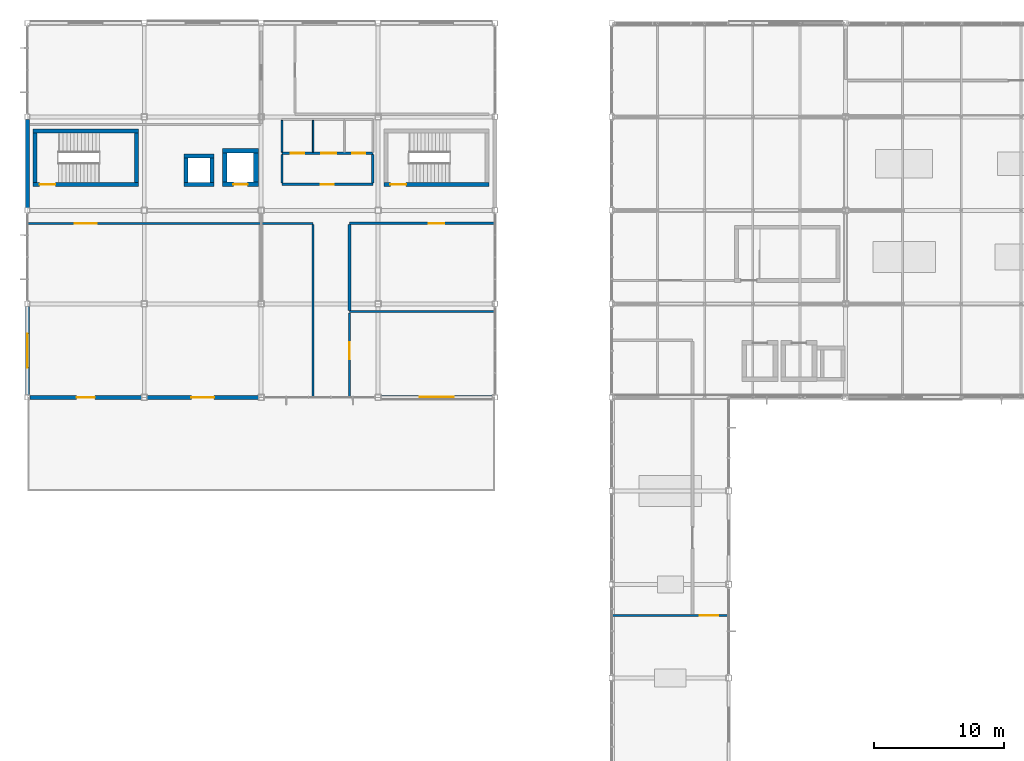
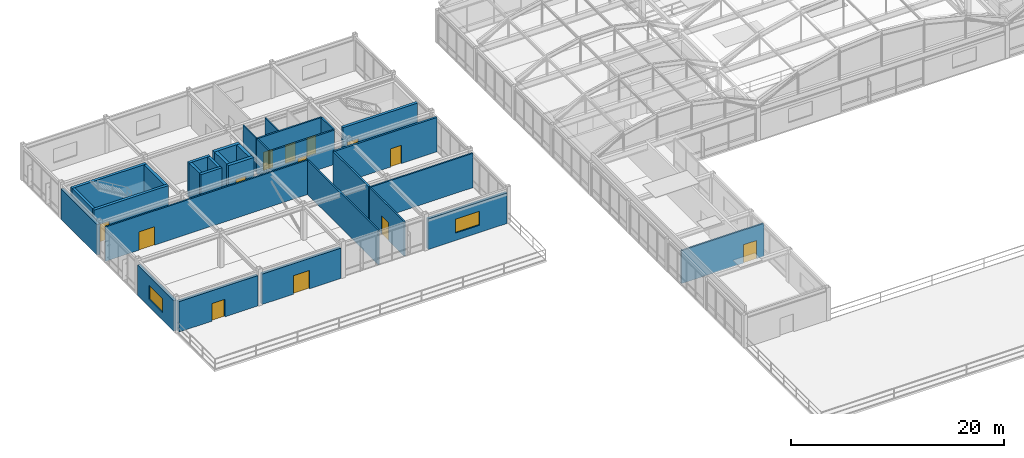
# One storey, part 84 of 106: 31 walls, 13 doors, 2 windows, 15 openings.
"""IFC4 building model written with IfcOpenShell, lengths in metres."""

from ifc_helpers import new_model, si_unit, direction, frame, frame_2d, origin, place, context, subcontext, project, spatial, rectangle, extrude, material, layer, layer_set, type_object, element, fill, save


model = new_model("IFC4")

# Units and contexts
model_context = context("Model", 3, precision=1e-05, world=origin(), true_north=direction((0.0, 1.0)))
body_context = subcontext(model_context, "Body", "Model", "MODEL_VIEW")
ifc_project = project(units=[si_unit("LENGTHUNIT", "METRE"), si_unit("AREAUNIT", "SQUARE_METRE"), si_unit("VOLUMEUNIT", "CUBIC_METRE"), si_unit("PLANEANGLEUNIT", "RADIAN"), si_unit("MASSUNIT", "GRAM", prefix="KILO")], contexts=[model_context])

# Site, building, storey
site_placement = place(None, origin())
site = spatial("IfcSite", under=ifc_project, at=site_placement, CompositionType="ELEMENT")
building_placement = place(site_placement, origin())
building = spatial("IfcBuilding", under=site, at=building_placement, Name="Kazanami Central Library", CompositionType="ELEMENT")
storey_placement = place(building_placement, frame((0.0, 0.0, 12.800048828125)))
storey = spatial("IfcBuildingStorey", under=building, at=storey_placement, Name="L04", CompositionType="ELEMENT", Elevation=12.800048828125)

# Wall, opening, window
ifc_material_1 = material(Name="Concrete Fc36 (36 MPa)", Category="concrete")
ifc_layer_1 = layer(ifc_material_1, 0.219970703125, Name="Concrete Fc36 (36 MPa)")
ifc_material_2 = material(Name="Extruded Polystyrene XPS", Category="earth")
ifc_layer_2 = layer(ifc_material_2, 0.050048828125, Name="Extruded Polystyrene XPS")
ifc_material_3 = material(Name="Honed Inada Granite", Category="masonry")
ifc_layer_3 = layer(ifc_material_3, 0.030029296875, Name="Honed Inada Granite")
ifc_layer_set_1 = layer_set([ifc_layer_1, ifc_layer_2, ifc_layer_3], Name="Concrete Fc36 (36 MPa)")
wall_type_1 = type_object("IfcWallType", Name="WAL-EW-300", PredefinedType="STANDARD", material=ifc_layer_set_1)
wall_1_placement = place(storey_placement, frame((0.0, 65.0, 0.0), z_axis=(0.0, 0.0, 1.0), x_axis=(0.0, 1.0, 0.0)))
wall_1 = element("IfcWall", 1, at=wall_1_placement, inside=storey, type_object=wall_type_1, Name="Exterior Facade Wall EW-300 L04 W-1-09", PredefinedType="STANDARD", context=body_context, shape_type="SweptSolid", body=[
    extrude(rectangle(XDim=6.800048828125, YDim=0.300048828125, at=frame_2d((3.39990234375, 0.0))), origin(), (0.0, 0.0, 1.0), 3.489990234375),
])
opening_1_placement = place(wall_1_placement, frame((2.10009765625, 0.0, 0.85009765625)))
opening_1 = element("IfcOpeningElement", 2, at=opening_1_placement, cuts=wall_1, Name="Opening WN-13", PredefinedType="OPENING", context=body_context, shape_type="SweptSolid", body=[
    extrude(rectangle(XDim=2.60009765625, YDim=1.60009765625, at=frame_2d((1.300048828125, 0.800048828125))), frame((0.0, 0.162109375, 0.0), z_axis=(0.0, -1.0, 0.0), x_axis=(1.0, 0.0, 0.0)), (0.0, 0.0, 1.0), 0.323974609375),
])
ifc_material_4 = material(Name="Low-E Insulated Triple Glass", Category="glass")
window_type = type_object("IfcWindowType", Name="WIN-WN-13", PartitioningType="DOUBLE_PANEL_VERTICAL", PredefinedType="WINDOW", material=ifc_material_4)
window_1_placement = place(opening_1_placement, origin())
window_1 = element("IfcWindow", 3, at=window_1_placement, inside=storey, type_object=window_type, Name="Facade Window WN-13 L04 W-1-09", OverallHeight=1.60009765625, OverallWidth=2.60009765625, PartitioningType="DOUBLE_PANEL_VERTICAL", PredefinedType="WINDOW", context=body_context, shape_type="SweptSolid", body=[
    extrude(rectangle(XDim=2.60009765625, YDim=1.60009765625, at=frame_2d((1.300048828125, 0.800048828125))), frame((0.0, 0.030029296875, 0.0), z_axis=(0.0, -1.0, 0.0), x_axis=(1.0, 0.0, 0.0)), (0.0, 0.0, 1.0), 0.06005859375),
])
fill(opening_1, window_1)

# Wall
wall_2_placement = place(storey_placement, frame((0.0, 79.39990234375, 0.0), z_axis=(0.0, 0.0, 1.0), x_axis=(0.0, 1.0, 0.0)))
element("IfcWall", 4, at=wall_2_placement, inside=storey, type_object=wall_type_1, Name="Exterior Facade Wall EW-300 L04 W-1-11", PredefinedType="STANDARD", context=body_context, shape_type="SweptSolid", body=[
    extrude(rectangle(XDim=6.800048828125, YDim=0.300048828125, at=frame_2d((3.39990234375, 0.0))), origin(), (0.0, 0.0, 1.0), 3.489990234375),
])

# Wall, opening, door
ifc_layer_4 = layer(ifc_material_1, 0.239990234375, Name="Concrete Fc36 (36 MPa)")
ifc_layer_5 = layer(ifc_material_2, 0.050048828125, Name="Extruded Polystyrene XPS")
ifc_layer_6 = layer(ifc_material_3, 0.030029296875, Name="Honed Inada Granite")
ifc_layer_set_2 = layer_set([ifc_layer_4, ifc_layer_5, ifc_layer_6], Name="Concrete Fc36 (36 MPa)")
wall_type_2 = type_object("IfcWallType", Name="WAL-EW-320", PredefinedType="STANDARD", material=ifc_layer_set_2)
wall_3_placement = place(storey_placement, frame((0.199951171875, 64.800048828125, 0.0), z_axis=(0.0, 0.0, 1.0), x_axis=(1.0, 0.0, 0.0)))
wall_3 = element("IfcWall", 5, at=wall_3_placement, inside=storey, type_object=wall_type_2, Name="Exterior Facade Wall EW-320 L04 S-K-00", PredefinedType="STANDARD", context=body_context, shape_type="SweptSolid", body=[
    extrude(rectangle(XDim=8.574951171875, YDim=0.320068359375, at=frame_2d((4.28759765625, 0.0))), origin(), (0.0, 0.0, 1.0), 3.489990234375),
])
opening_2_placement = place(wall_3_placement, frame((3.58740234375, 0.0, 0.0)))
opening_2 = element("IfcOpeningElement", 6, at=opening_2_placement, cuts=wall_3, Name="Opening ED-T5", PredefinedType="OPENING", context=body_context, shape_type="SweptSolid", body=[
    extrude(rectangle(XDim=1.39990234375, YDim=2.02001953125, at=frame_2d((0.699951171875, 1.010009765625))), frame((0.0, 0.171875, 0.0), z_axis=(0.0, -1.0, 0.0), x_axis=(1.0, 0.0, 0.0)), (0.0, 0.0, 1.0), 0.343994140625),
])
ifc_material_5 = material(Name="Anodised Aluminium A6063-T5", Category="aluminium")
door_type_1 = type_object("IfcDoorType", Name="DOR-ED-T5", OperationType="DOUBLE_DOOR_SINGLE_SWING", PredefinedType="DOOR", material=ifc_material_5)
door_1_placement = place(opening_2_placement, frame((1.39990234375, 0.0, 0.0), z_axis=(0.0, 0.0, 1.0), x_axis=(-1.0, 0.0, 0.0)))
door_1 = element("IfcDoor", 7, at=door_1_placement, inside=storey, type_object=door_type_1, Name="Reading Terrace Access Door L04 S-K-00", OperationType="DOUBLE_DOOR_SINGLE_SWING", OverallHeight=2.02001953125, OverallWidth=1.39990234375, PredefinedType="DOOR", context=body_context, shape_type="SweptSolid", body=[
    extrude(rectangle(XDim=1.39990234375, YDim=2.02001953125, at=frame_2d((0.699951171875, 1.010009765625))), frame((0.0, 0.02490234375, 0.0), z_axis=(0.0, -1.0, 0.0), x_axis=(1.0, 0.0, 0.0)), (0.0, 0.0, 1.0), 0.050048828125),
])
fill(opening_2, door_1)

wall_4_placement = place(storey_placement, frame((9.22509765625, 64.800048828125, 0.0), z_axis=(0.0, 0.0, 1.0), x_axis=(1.0, 0.0, 0.0)))
wall_4 = element("IfcWall", 8, at=wall_4_placement, inside=storey, type_object=wall_type_2, Name="Exterior Facade Wall EW-320 L04 S-K-01", PredefinedType="STANDARD", context=body_context, shape_type="SweptSolid", body=[
    extrude(rectangle(XDim=8.5498046875, YDim=0.320068359375, at=frame_2d((4.27490234375, 0.0))), origin(), (0.0, 0.0, 1.0), 3.489990234375),
])
opening_3_placement = place(wall_4_placement, frame((3.39990234375, 0.0, 0.0)))
opening_3 = element("IfcOpeningElement", 9, at=opening_3_placement, cuts=wall_4, Name="Opening ED-T6", PredefinedType="OPENING", context=body_context, shape_type="SweptSolid", body=[
    extrude(rectangle(XDim=1.75, YDim=2.1201171875, at=frame_2d((0.875, 1.06005859375))), frame((0.0, 0.171875, 0.0), z_axis=(0.0, -1.0, 0.0), x_axis=(1.0, 0.0, 0.0)), (0.0, 0.0, 1.0), 0.343994140625),
])
door_type_2 = type_object("IfcDoorType", Name="DOR-ED-T6", OperationType="DOUBLE_DOOR_SINGLE_SWING", PredefinedType="DOOR", material=ifc_material_5)
door_2_placement = place(opening_3_placement, frame((1.75, 0.0, 0.0), z_axis=(0.0, 0.0, 1.0), x_axis=(-1.0, 0.0, 0.0)))
door_2 = element("IfcDoor", 10, at=door_2_placement, inside=storey, type_object=door_type_2, Name="Reading Terrace Access Door L04 S-K-01", OperationType="DOUBLE_DOOR_SINGLE_SWING", OverallHeight=2.1201171875, OverallWidth=1.75, PredefinedType="DOOR", context=body_context, shape_type="SweptSolid", body=[
    extrude(rectangle(XDim=1.75, YDim=2.1201171875, at=frame_2d((0.875, 1.06005859375))), frame((0.0, 0.02490234375, 0.0), z_axis=(0.0, -1.0, 0.0), x_axis=(1.0, 0.0, 0.0)), (0.0, 0.0, 1.0), 0.050048828125),
])
fill(opening_3, door_2)

# Wall, opening, window
wall_5_placement = place(storey_placement, frame((27.22509765625, 64.800048828125, 0.0), z_axis=(0.0, 0.0, 1.0), x_axis=(1.0, 0.0, 0.0)))
wall_5 = element("IfcWall", 11, at=wall_5_placement, inside=storey, type_object=wall_type_2, Name="Exterior Facade Wall EW-320 L04 S-K-03", PredefinedType="STANDARD", context=body_context, shape_type="SweptSolid", body=[
    extrude(rectangle(XDim=8.574951171875, YDim=0.320068359375, at=frame_2d((4.28759765625, 0.0))), origin(), (0.0, 0.0, 1.0), 3.489990234375),
])
opening_4_placement = place(wall_5_placement, frame((2.987548828125, 0.0, 0.85009765625)))
opening_4 = element("IfcOpeningElement", 12, at=opening_4_placement, cuts=wall_5, Name="Opening WN-13", PredefinedType="OPENING", context=body_context, shape_type="SweptSolid", body=[
    extrude(rectangle(XDim=2.60009765625, YDim=1.60009765625, at=frame_2d((1.300048828125, 0.800048828125))), frame((0.0, 0.171875, 0.0), z_axis=(0.0, -1.0, 0.0), x_axis=(1.0, 0.0, 0.0)), (0.0, 0.0, 1.0), 0.343994140625),
])
window_2_placement = place(opening_4_placement, origin())
window_2 = element("IfcWindow", 13, at=window_2_placement, inside=storey, type_object=window_type, Name="Facade Window WN-13 L04 S-K-03", OverallHeight=1.60009765625, OverallWidth=2.60009765625, PartitioningType="DOUBLE_PANEL_VERTICAL", PredefinedType="WINDOW", context=body_context, shape_type="SweptSolid", body=[
    extrude(rectangle(XDim=2.60009765625, YDim=1.60009765625, at=frame_2d((1.300048828125, 0.800048828125))), frame((0.0, 0.030029296875, 0.0), z_axis=(0.0, -1.0, 0.0), x_axis=(1.0, 0.0, 0.0)), (0.0, 0.0, 1.0), 0.06005859375),
])
fill(opening_4, window_2)

# Wall, opening, door
ifc_material_6 = material(Name="Fire-Resistant Gypsum Board GB-F", Category="gypsum")
ifc_layer_7 = layer(ifc_material_6, 0.1650390625, Name="Fire-Resistant Gypsum Board GB-F")
ifc_layer_set_3 = layer_set([ifc_layer_7], Name="Fire-Resistant Gypsum Board GB-F")
wall_type_3 = type_object("IfcWallType", Name="WAL-FW-165", PredefinedType="PARTITIONING", material=ifc_layer_set_3)
wall_6_placement = place(storey_placement, frame((0.034912109375, 78.199951171875, 0.0), z_axis=(0.0, 0.0, 1.0), x_axis=(1.0, 0.0, 0.0)))
wall_6 = element("IfcWall", 14, at=wall_6_placement, inside=storey, type_object=wall_type_3, Name="Interior Partition FW-165 L04 RM-04 (North)", PredefinedType="PARTITIONING", context=body_context, shape_type="SweptSolid", body=[
    extrude(rectangle(XDim=21.965087890625, YDim=0.1650390625, at=frame_2d((10.982421875, 0.0))), origin(), (0.0, 0.0, 1.0), 3.93994140625),
])
opening_5_placement = place(wall_6_placement, frame((3.614990234375, 0.0, 0.0)))
opening_5 = element("IfcOpeningElement", 15, at=opening_5_placement, cuts=wall_6, Name="Opening FD30-4", PredefinedType="OPENING", context=body_context, shape_type="SweptSolid", body=[
    extrude(rectangle(XDim=1.699951171875, YDim=2.1201171875, at=frame_2d((0.85009765625, 1.06005859375))), frame((0.0, 0.094482421875, 0.0), z_axis=(0.0, -1.0, 0.0), x_axis=(1.0, 0.0, 0.0)), (0.0, 0.0, 1.0), 0.18896484375),
])
ifc_material_7 = material(Name="Cold-Rolled Steel SPCC", Category="steel")
door_type_3 = type_object("IfcDoorType", Name="DOR-FD30-4", OperationType="DOUBLE_DOOR_SINGLE_SWING", PredefinedType="DOOR", material=ifc_material_7)
door_3_placement = place(opening_5_placement, origin())
door_3 = element("IfcDoor", 16, at=door_3_placement, inside=storey, type_object=door_type_3, Name="Interior Door FD30-4 L04 RM-04", OperationType="DOUBLE_DOOR_SINGLE_SWING", OverallHeight=2.1201171875, OverallWidth=1.699951171875, PredefinedType="DOOR", context=body_context, shape_type="SweptSolid", body=[
    extrude(rectangle(XDim=1.699951171875, YDim=2.1201171875, at=frame_2d((0.85009765625, 1.06005859375))), frame((0.0, 0.02490234375, 0.0), z_axis=(0.0, -1.0, 0.0), x_axis=(1.0, 0.0, 0.0)), (0.0, 0.0, 1.0), 0.050048828125),
])
fill(opening_5, door_3)

# Walls
wall_7_placement = place(storey_placement, frame((22.0, 64.8349609375, 0.0), z_axis=(0.0, 0.0, 1.0), x_axis=(0.0, 1.0, 0.0)))
element("IfcWall", 17, at=wall_7_placement, inside=storey, type_object=wall_type_3, Name="Interior Partition FW-165 L04 RM-04 (East)", PredefinedType="PARTITIONING", context=body_context, shape_type="SweptSolid", body=[
    extrude(rectangle(XDim=13.275146484375, YDim=0.1650390625, at=frame_2d((6.6376953125, 0.0))), origin(), (0.0, 0.0, 1.0), 3.93994140625),
])
wall_8_placement = place(storey_placement, frame((24.800048828125, 71.39990234375, 0.0), z_axis=(0.0, 0.0, 1.0), x_axis=(1.0, 0.0, 0.0)))
element("IfcWall", 18, at=wall_8_placement, inside=storey, type_object=wall_type_3, Name="Interior Partition FW-165 L04 RM-05 (North)", PredefinedType="PARTITIONING", context=body_context, shape_type="SweptSolid", body=[
    extrude(rectangle(XDim=11.1650390625, YDim=0.1650390625, at=frame_2d((5.58251953125, 0.0))), origin(), (0.0, 0.0, 1.0), 3.93994140625),
])

# Wall, opening, door
wall_9_placement = place(storey_placement, frame((24.800048828125, 64.8349609375, 0.0), z_axis=(0.0, 0.0, 1.0), x_axis=(0.0, 1.0, 0.0)))
wall_9 = element("IfcWall", 19, at=wall_9_placement, inside=storey, type_object=wall_type_3, Name="Interior Partition FW-165 L04 RM-05 (West)", PredefinedType="PARTITIONING", context=body_context, shape_type="SweptSolid", body=[
    extrude(rectangle(XDim=6.47509765625, YDim=0.1650390625, at=frame_2d((3.237548828125, 0.0))), origin(), (0.0, 0.0, 1.0), 3.93994140625),
])
opening_6_placement = place(wall_9_placement, frame((2.9150390625, 0.0, 0.0)))
opening_6 = element("IfcOpeningElement", 20, at=opening_6_placement, cuts=wall_9, Name="Opening FD30-7", PredefinedType="OPENING", context=body_context, shape_type="SweptSolid", body=[
    extrude(rectangle(XDim=1.300048828125, YDim=2.080078125, at=frame_2d((0.64990234375, 1.0400390625))), frame((0.0, 0.094482421875, 0.0), z_axis=(0.0, -1.0, 0.0), x_axis=(1.0, 0.0, 0.0)), (0.0, 0.0, 1.0), 0.18896484375),
])
door_type_4 = type_object("IfcDoorType", Name="DOR-FD30-7", OperationType="DOUBLE_DOOR_SINGLE_SWING", PredefinedType="DOOR", material=ifc_material_7)
door_4_placement = place(opening_6_placement, origin())
door_4 = element("IfcDoor", 21, at=door_4_placement, inside=storey, type_object=door_type_4, Name="Interior Door FD30-7 L04 RM-05", OperationType="DOUBLE_DOOR_SINGLE_SWING", OverallHeight=2.080078125, OverallWidth=1.300048828125, PredefinedType="DOOR", context=body_context, shape_type="SweptSolid", body=[
    extrude(rectangle(XDim=1.300048828125, YDim=2.080078125, at=frame_2d((0.64990234375, 1.0400390625))), frame((0.0, 0.02490234375, 0.0), z_axis=(0.0, -1.0, 0.0), x_axis=(1.0, 0.0, 0.0)), (0.0, 0.0, 1.0), 0.050048828125),
])
fill(opening_6, door_4)

wall_10_placement = place(storey_placement, frame((45.034912109375, 48.0, 0.0), z_axis=(0.0, 0.0, 1.0), x_axis=(1.0, 0.0, 0.0)))
wall_10 = element("IfcWall", 22, at=wall_10_placement, inside=storey, type_object=wall_type_3, Name="Interior Partition FW-165 L04 RM-15 (North)", PredefinedType="PARTITIONING", context=body_context, shape_type="SweptSolid", body=[
    extrude(rectangle(XDim=8.93017578125, YDim=0.1650390625, at=frame_2d((4.465087890625, 0.0))), origin(), (0.0, 0.0, 1.0), 3.780029296875),
])
opening_7_placement = place(wall_10_placement, frame((6.715087890625, 0.0, 0.0)))
opening_7 = element("IfcOpeningElement", 23, at=opening_7_placement, cuts=wall_10, Name="Opening FD30-6", PredefinedType="OPENING", context=body_context, shape_type="SweptSolid", body=[
    extrude(rectangle(XDim=1.449951171875, YDim=2.10009765625, at=frame_2d((0.72509765625, 1.050048828125))), frame((0.0, 0.094482421875, 0.0), z_axis=(0.0, -1.0, 0.0), x_axis=(1.0, 0.0, 0.0)), (0.0, 0.0, 1.0), 0.18896484375),
])
door_type_5 = type_object("IfcDoorType", Name="DOR-FD30-6", OperationType="DOUBLE_DOOR_SINGLE_SWING", PredefinedType="DOOR", material=ifc_material_7)
door_5_placement = place(opening_7_placement, origin())
door_5 = element("IfcDoor", 24, at=door_5_placement, inside=storey, type_object=door_type_5, Name="Interior Door FD30-6 L04 RM-15", OperationType="DOUBLE_DOOR_SINGLE_SWING", OverallHeight=2.10009765625, OverallWidth=1.449951171875, PredefinedType="DOOR", context=body_context, shape_type="SweptSolid", body=[
    extrude(rectangle(XDim=1.449951171875, YDim=2.10009765625, at=frame_2d((0.72509765625, 1.050048828125))), frame((0.0, 0.02490234375, 0.0), z_axis=(0.0, -1.0, 0.0), x_axis=(1.0, 0.0, 0.0)), (0.0, 0.0, 1.0), 0.050048828125),
])
fill(opening_7, door_5)

ifc_layer_8 = layer(ifc_material_6, 0.179931640625, Name="Fire-Resistant Gypsum Board GB-F")
ifc_layer_set_4 = layer_set([ifc_layer_8], Name="Fire-Resistant Gypsum Board GB-F")
wall_type_4 = type_object("IfcWallType", Name="WAL-FW-180", PredefinedType="PARTITIONING", material=ifc_layer_set_4)
wall_11_placement = place(storey_placement, frame((19.60009765625, 81.199951171875, 0.0), z_axis=(0.0, 0.0, 1.0), x_axis=(1.0, 0.0, 0.0)))
wall_11 = element("IfcWall", 25, at=wall_11_placement, inside=storey, type_object=wall_type_4, Name="Interior Partition FW-180 L04 WC-V4-LOB (South)", PredefinedType="PARTITIONING", context=body_context, shape_type="SweptSolid", body=[
    extrude(rectangle(XDim=7.0, YDim=0.179931640625, at=frame_2d((3.5, 0.0))), origin(), (0.0, 0.0, 1.0), 3.93994140625),
])
opening_8_placement = place(wall_11_placement, frame((3.0, 0.0, 0.0)))
opening_8 = element("IfcOpeningElement", 26, at=opening_8_placement, cuts=wall_11, Name="Opening FD30-2", PredefinedType="OPENING", context=body_context, shape_type="SweptSolid", body=[
    extrude(rectangle(XDim=1.0, YDim=2.080078125, at=frame_2d((0.5, 1.0400390625))), frame((0.0, 0.10205078125, 0.0), z_axis=(0.0, -1.0, 0.0), x_axis=(1.0, 0.0, 0.0)), (0.0, 0.0, 1.0), 0.203857421875),
])
door_type_6 = type_object("IfcDoorType", Name="DOR-FD30-2", OperationType="NOTDEFINED", PredefinedType="DOOR", material=ifc_material_7)
door_6_placement = place(opening_8_placement, origin())
door_6 = element("IfcDoor", 27, at=door_6_placement, inside=storey, type_object=door_type_6, Name="Interior Door FD30-2 L04 WC-V4-LOB", OperationType="SINGLE_SWING_LEFT", OverallHeight=2.080078125, OverallWidth=1.0, PredefinedType="DOOR", context=body_context, shape_type="SweptSolid", body=[
    extrude(rectangle(XDim=1.0, YDim=2.080078125, at=frame_2d((0.5, 1.0400390625))), frame((0.0, 0.02490234375, 0.0), z_axis=(0.0, -1.0, 0.0), x_axis=(1.0, 0.0, 0.0)), (0.0, 0.0, 1.0), 0.050048828125),
])
fill(opening_8, door_6)

# Wall, openings, doors
wall_12_placement = place(storey_placement, frame((19.60009765625, 83.60009765625, 0.0), z_axis=(0.0, 0.0, 1.0), x_axis=(1.0, 0.0, 0.0)))
wall_12 = element("IfcWall", 28, at=wall_12_placement, inside=storey, type_object=wall_type_4, Name="Interior Partition FW-180 L04 WC-V4-LOB (North)", PredefinedType="PARTITIONING", context=body_context, shape_type="SweptSolid", body=[
    extrude(rectangle(XDim=7.0, YDim=0.179931640625, at=frame_2d((3.5, 0.0))), origin(), (0.0, 0.0, 1.0), 3.93994140625),
])
opening_9_placement = place(wall_12_placement, frame((0.675048828125, 0.0, 0.0)))
opening_9 = element("IfcOpeningElement", 29, at=opening_9_placement, cuts=wall_12, Name="Opening FD30-1", PredefinedType="OPENING", context=body_context, shape_type="SweptSolid", body=[
    extrude(rectangle(XDim=1.050048828125, YDim=2.10009765625, at=frame_2d((0.52490234375, 1.050048828125))), frame((0.0, 0.10205078125, 0.0), z_axis=(0.0, -1.0, 0.0), x_axis=(1.0, 0.0, 0.0)), (0.0, 0.0, 1.0), 0.203857421875),
])
opening_10_placement = place(wall_12_placement, frame((3.0400390625, 0.0, 0.0)))
opening_10 = element("IfcOpeningElement", 30, at=opening_10_placement, cuts=wall_12, Name="Opening FD30-8", PredefinedType="OPENING", context=body_context, shape_type="SweptSolid", body=[
    extrude(rectangle(XDim=1.1201171875, YDim=2.080078125, at=frame_2d((0.56005859375, 1.0400390625))), frame((0.0, 0.10205078125, 0.0), z_axis=(0.0, -1.0, 0.0), x_axis=(1.0, 0.0, 0.0)), (0.0, 0.0, 1.0), 0.203857421875),
])
opening_11_placement = place(wall_12_placement, frame((5.39990234375, 0.0, 0.0)))
opening_11 = element("IfcOpeningElement", 31, at=opening_11_placement, cuts=wall_12, Name="Opening FD30-2", PredefinedType="OPENING", context=body_context, shape_type="SweptSolid", body=[
    extrude(rectangle(XDim=1.0, YDim=2.080078125, at=frame_2d((0.5, 1.0400390625))), frame((0.0, 0.10205078125, 0.0), z_axis=(0.0, -1.0, 0.0), x_axis=(1.0, 0.0, 0.0)), (0.0, 0.0, 1.0), 0.203857421875),
])
door_type_7 = type_object("IfcDoorType", Name="DOR-FD30-1", OperationType="NOTDEFINED", PredefinedType="DOOR", material=ifc_material_7)
door_7_placement = place(opening_9_placement, origin())
door_7 = element("IfcDoor", 32, at=door_7_placement, inside=storey, type_object=door_type_7, Name="Interior Door FD30-1 L04 WC-V4-M", OperationType="SINGLE_SWING_RIGHT", OverallHeight=2.10009765625, OverallWidth=1.050048828125, PredefinedType="DOOR", context=body_context, shape_type="SweptSolid", body=[
    extrude(rectangle(XDim=1.050048828125, YDim=2.10009765625, at=frame_2d((0.52490234375, 1.050048828125))), frame((0.0, 0.02490234375, 0.0), z_axis=(0.0, -1.0, 0.0), x_axis=(1.0, 0.0, 0.0)), (0.0, 0.0, 1.0), 0.050048828125),
])
fill(opening_9, door_7)
door_8_placement = place(opening_11_placement, origin())
door_8 = element("IfcDoor", 33, at=door_8_placement, inside=storey, type_object=door_type_6, Name="Interior Door FD30-2 L04 WC-V4-ACC", OperationType="SINGLE_SWING_RIGHT", OverallHeight=2.080078125, OverallWidth=1.0, PredefinedType="DOOR", context=body_context, shape_type="SweptSolid", body=[
    extrude(rectangle(XDim=1.0, YDim=2.080078125, at=frame_2d((0.5, 1.0400390625))), frame((0.0, 0.02490234375, 0.0), z_axis=(0.0, -1.0, 0.0), x_axis=(1.0, 0.0, 0.0)), (0.0, 0.0, 1.0), 0.050048828125),
])
fill(opening_11, door_8)
door_type_8 = type_object("IfcDoorType", Name="DOR-FD30-8", OperationType="NOTDEFINED", PredefinedType="DOOR", material=ifc_material_7)
door_9_placement = place(opening_10_placement, origin())
door_9 = element("IfcDoor", 34, at=door_9_placement, inside=storey, type_object=door_type_8, Name="Interior Door FD30-8 L04 WC-V4-F", OperationType="SINGLE_SWING_LEFT", OverallHeight=2.080078125, OverallWidth=1.1201171875, PredefinedType="DOOR", context=body_context, shape_type="SweptSolid", body=[
    extrude(rectangle(XDim=1.1201171875, YDim=2.080078125, at=frame_2d((0.56005859375, 1.0400390625))), frame((0.0, 0.02490234375, 0.0), z_axis=(0.0, -1.0, 0.0), x_axis=(1.0, 0.0, 0.0)), (0.0, 0.0, 1.0), 0.050048828125),
])
fill(opening_10, door_9)

# Walls
for number, where, z_axis, x_axis, name in (
    (35, (19.60009765625, 81.2900390625, 0.0), (0.0, 0.0, 1.0), (0.0, 1.0, 0.0), "Interior Partition FW-180 L04 WC-V4-LOB (West)"),
    (36, (26.60009765625, 81.2900390625, 0.0), (0.0, 0.0, 1.0), (0.0, 1.0, 0.0), "Interior Partition FW-180 L04 WC-V4-LOB (East)"),
):
    element("IfcWall", number, at=place(storey_placement, frame(where, z_axis=z_axis, x_axis=x_axis)), inside=storey, type_object=wall_type_4, Name=name, PredefinedType="PARTITIONING", context=body_context, shape_type="SweptSolid", body=[
        extrude(rectangle(XDim=2.219970703125, YDim=0.179931640625, at=frame_2d((1.10986328125, 0.0))), origin(), (0.0, 0.0, 1.0), 3.93994140625),
    ])

# Wall, opening, door
ifc_layer_9 = layer(ifc_material_6, 0.199951171875, Name="Fire-Resistant Gypsum Board GB-F")
ifc_layer_set_5 = layer_set([ifc_layer_9], Name="Fire-Resistant Gypsum Board GB-F")
wall_type_5 = type_object("IfcWallType", Name="WAL-FW-200", PredefinedType="PARTITIONING", material=ifc_layer_set_5)
wall_13_placement = place(storey_placement, frame((24.800048828125, 78.199951171875, 0.0), z_axis=(0.0, 0.0, 1.0), x_axis=(1.0, 0.0, 0.0)))
wall_13 = element("IfcWall", 37, at=wall_13_placement, inside=storey, type_object=wall_type_5, Name="Interior Partition FW-200 L04 RM-06 (North)", PredefinedType="PARTITIONING", context=body_context, shape_type="SweptSolid", body=[
    extrude(rectangle(XDim=11.1650390625, YDim=0.199951171875, at=frame_2d((5.58251953125, 0.0))), origin(), (0.0, 0.0, 1.0), 3.93994140625),
])
opening_12_placement = place(wall_13_placement, frame((6.10009765625, 0.0, 0.0)))
opening_12 = element("IfcOpeningElement", 38, at=opening_12_placement, cuts=wall_13, Name="Opening FD60-1", PredefinedType="OPENING", context=body_context, shape_type="SweptSolid", body=[
    extrude(rectangle(XDim=1.199951171875, YDim=2.10009765625, at=frame_2d((0.60009765625, 1.050048828125))), frame((0.0, 0.11181640625, 0.0), z_axis=(0.0, -1.0, 0.0), x_axis=(1.0, 0.0, 0.0)), (0.0, 0.0, 1.0), 0.223876953125),
])
door_type_9 = type_object("IfcDoorType", Name="DOR-FD60-1", OperationType="NOTDEFINED", PredefinedType="DOOR", material=ifc_material_7)
door_10_placement = place(opening_12_placement, origin())
door_10 = element("IfcDoor", 39, at=door_10_placement, inside=storey, type_object=door_type_9, Name="Interior Door FD60-1 L04 RM-06", OperationType="SINGLE_SWING_LEFT", OverallHeight=2.10009765625, OverallWidth=1.199951171875, PredefinedType="DOOR", context=body_context, shape_type="SweptSolid", body=[
    extrude(rectangle(XDim=1.199951171875, YDim=2.10009765625, at=frame_2d((0.60009765625, 1.050048828125))), frame((0.0, 0.02490234375, 0.0), z_axis=(0.0, -1.0, 0.0), x_axis=(1.0, 0.0, 0.0)), (0.0, 0.0, 1.0), 0.050048828125),
])
fill(opening_12, door_10)

# Walls
wall_14_placement = place(storey_placement, frame((24.800048828125, 71.489990234375, 0.0), z_axis=(0.0, 0.0, 1.0), x_axis=(0.0, 1.0, 0.0)))
element("IfcWall", 40, at=wall_14_placement, inside=storey, type_object=wall_type_5, Name="Interior Partition FW-200 L04 RM-06 (West)", PredefinedType="PARTITIONING", context=body_context, shape_type="SweptSolid", body=[
    extrude(rectangle(XDim=6.6201171875, YDim=0.199951171875, at=frame_2d((3.31005859375, 0.0))), origin(), (0.0, 0.0, 1.0), 3.93994140625),
])
ifc_material_8 = material(Name="Gypsum Plasterboard GB-R", Category="gypsum")
ifc_layer_10 = layer(ifc_material_8, 0.125, Name="Gypsum Plasterboard GB-R")
ifc_layer_set_6 = layer_set([ifc_layer_10], Name="Gypsum Plasterboard GB-R")
wall_type_6 = type_object("IfcWallType", Name="WAL-PW-125", PredefinedType="PARTITIONING", material=ifc_layer_set_6)
for number, where, z_axis, x_axis, name in (
    (41, (19.60009765625, 83.68994140625, 0.0), (0.0, 0.0, 1.0), (0.0, 1.0, 0.0), "Interior Partition PW-125 L04 WC-V4-M (West)"),
    (42, (22.0, 83.68994140625, 0.0), (0.0, 0.0, 1.0), (0.0, 1.0, 0.0), "Interior Partition PW-125 L04 WC-V4-M (East)"),
):
    element("IfcWall", number, at=place(storey_placement, frame(where, z_axis=z_axis, x_axis=x_axis)), inside=storey, type_object=wall_type_6, Name=name, PredefinedType="PARTITIONING", context=body_context, shape_type="SweptSolid", body=[
        extrude(rectangle(XDim=2.447509765625, YDim=0.125, at=frame_2d((1.2236328125, 0.0))), origin(), (0.0, 0.0, 1.0), 3.93994140625),
    ])

# Wall, opening, door
ifc_layer_11 = layer(ifc_material_1, 0.300048828125, Name="Concrete Fc36 (36 MPa)")
ifc_layer_set_7 = layer_set([ifc_layer_11], Name="Concrete Fc36 (36 MPa)")
wall_type_7 = type_object("IfcWallType", Name="WAL-SW-300", PredefinedType="SHEAR", material=ifc_layer_set_7)
wall_15_placement = place(storey_placement, frame((0.449951171875, 81.199951171875, 0.0), z_axis=(0.0, 0.0, 1.0), x_axis=(1.0, 0.0, 0.0)))
wall_15 = element("IfcWall", 43, at=wall_15_placement, inside=storey, type_object=wall_type_7, Name="Stair Core Wall ST-05 South L04", PredefinedType="SHEAR", context=body_context, shape_type="SweptSolid", body=[
    extrude(rectangle(XDim=8.10009765625, YDim=0.300048828125, at=frame_2d((4.050048828125, 0.0))), origin(), (0.0, 0.0, 1.0), 3.93994140625),
])
opening_13_placement = place(wall_15_placement, frame((0.5, 0.0, 0.0)))
opening_13 = element("IfcOpeningElement", 44, at=opening_13_placement, cuts=wall_15, Name="Opening FD60-1", PredefinedType="OPENING", context=body_context, shape_type="SweptSolid", body=[
    extrude(rectangle(XDim=1.199951171875, YDim=2.10009765625, at=frame_2d((0.60009765625, 1.050048828125))), frame((0.0, 0.162109375, 0.0), z_axis=(0.0, -1.0, 0.0), x_axis=(1.0, 0.0, 0.0)), (0.0, 0.0, 1.0), 0.323974609375),
])
door_11_placement = place(opening_13_placement, origin())
door_11 = element("IfcDoor", 45, at=door_11_placement, inside=storey, type_object=door_type_9, Name="Escape Stair ST-05 Fire Door L04", OperationType="SINGLE_SWING_RIGHT", OverallHeight=2.10009765625, OverallWidth=1.199951171875, PredefinedType="DOOR", context=body_context, shape_type="SweptSolid", body=[
    extrude(rectangle(XDim=1.199951171875, YDim=2.10009765625, at=frame_2d((0.60009765625, 1.050048828125))), frame((0.0, 0.02490234375, 0.0), z_axis=(0.0, -1.0, 0.0), x_axis=(1.0, 0.0, 0.0)), (0.0, 0.0, 1.0), 0.050048828125),
])
fill(opening_13, door_11)

# Walls
wall_16_placement = place(storey_placement, frame((0.449951171875, 85.300048828125, 0.0), z_axis=(0.0, 0.0, 1.0), x_axis=(1.0, 0.0, 0.0)))
element("IfcWall", 46, at=wall_16_placement, inside=storey, type_object=wall_type_7, Name="Stair Core Wall ST-05 North L04", PredefinedType="SHEAR", context=body_context, shape_type="SweptSolid", body=[
    extrude(rectangle(XDim=8.10009765625, YDim=0.300048828125, at=frame_2d((4.050048828125, 0.0))), origin(), (0.0, 0.0, 1.0), 3.93994140625),
])
for number, where, z_axis, x_axis, name in (
    (47, (0.60009765625, 81.35009765625, 0.0), (0.0, 0.0, 1.0), (0.0, 1.0, 0.0), "Stair Core Wall ST-05 West L04"),
    (48, (8.39990234375, 81.35009765625, 0.0), (0.0, 0.0, 1.0), (0.0, 1.0, 0.0), "Stair Core Wall ST-05 East L04"),
):
    element("IfcWall", number, at=place(storey_placement, frame(where, z_axis=z_axis, x_axis=x_axis)), inside=storey, type_object=wall_type_7, Name=name, PredefinedType="SHEAR", context=body_context, shape_type="SweptSolid", body=[
        extrude(rectangle(XDim=3.7998046875, YDim=0.300048828125, at=frame_2d((1.89990234375, 0.0))), origin(), (0.0, 0.0, 1.0), 3.93994140625),
    ])

# Wall, opening, door
wall_17_placement = place(storey_placement, frame((27.449951171875, 81.199951171875, 0.0), z_axis=(0.0, 0.0, 1.0), x_axis=(1.0, 0.0, 0.0)))
wall_17 = element("IfcWall", 49, at=wall_17_placement, inside=storey, type_object=wall_type_7, Name="Stair Core Wall ST-06 South L04", PredefinedType="SHEAR", context=body_context, shape_type="SweptSolid", body=[
    extrude(rectangle(XDim=8.10009765625, YDim=0.300048828125, at=frame_2d((4.050048828125, 0.0))), origin(), (0.0, 0.0, 1.0), 3.93994140625),
])
opening_14_placement = place(wall_17_placement, frame((0.5, 0.0, 0.0)))
opening_14 = element("IfcOpeningElement", 50, at=opening_14_placement, cuts=wall_17, Name="Opening FD60-1", PredefinedType="OPENING", context=body_context, shape_type="SweptSolid", body=[
    extrude(rectangle(XDim=1.199951171875, YDim=2.10009765625, at=frame_2d((0.60009765625, 1.050048828125))), frame((0.0, 0.162109375, 0.0), z_axis=(0.0, -1.0, 0.0), x_axis=(1.0, 0.0, 0.0)), (0.0, 0.0, 1.0), 0.323974609375),
])
door_12_placement = place(opening_14_placement, origin())
door_12 = element("IfcDoor", 51, at=door_12_placement, inside=storey, type_object=door_type_9, Name="Escape Stair ST-06 Fire Door L04", OperationType="SINGLE_SWING_RIGHT", OverallHeight=2.10009765625, OverallWidth=1.199951171875, PredefinedType="DOOR", context=body_context, shape_type="SweptSolid", body=[
    extrude(rectangle(XDim=1.199951171875, YDim=2.10009765625, at=frame_2d((0.60009765625, 1.050048828125))), frame((0.0, 0.02490234375, 0.0), z_axis=(0.0, -1.0, 0.0), x_axis=(1.0, 0.0, 0.0)), (0.0, 0.0, 1.0), 0.050048828125),
])
fill(opening_14, door_12)

# Walls
for number, where, z_axis, x_axis, name in (
    (52, (12.050048828125, 81.199951171875, 0.0), (0.0, 0.0, 1.0), (1.0, 0.0, 0.0), "Service Riser Wall RSR-V4-A S L04"),
    (53, (12.050048828125, 83.39990234375, 0.0), (0.0, 0.0, 1.0), (1.0, 0.0, 0.0), "Service Riser Wall RSR-V4-A N L04"),
):
    element("IfcWall", number, at=place(storey_placement, frame(where, z_axis=z_axis, x_axis=x_axis)), inside=storey, type_object=wall_type_7, Name=name, PredefinedType="SHEAR", context=body_context, shape_type="SweptSolid", body=[
        extrude(rectangle(XDim=2.300048828125, YDim=0.300048828125, at=frame_2d((1.14990234375, 0.0))), origin(), (0.0, 0.0, 1.0), 3.93994140625),
    ])
for number, where, z_axis, x_axis, name in (
    (54, (12.199951171875, 81.35009765625, 0.0), (0.0, 0.0, 1.0), (0.0, 1.0, 0.0), "Service Riser Wall RSR-V4-A W L04"),
    (55, (14.199951171875, 81.35009765625, 0.0), (0.0, 0.0, 1.0), (0.0, 1.0, 0.0), "Service Riser Wall RSR-V4-A E L04"),
):
    element("IfcWall", number, at=place(storey_placement, frame(where, z_axis=z_axis, x_axis=x_axis)), inside=storey, type_object=wall_type_7, Name=name, PredefinedType="SHEAR", context=body_context, shape_type="SweptSolid", body=[
        extrude(rectangle(XDim=1.89990234375, YDim=0.300048828125, at=frame_2d((0.949951171875, 0.0))), origin(), (0.0, 0.0, 1.0), 3.93994140625),
    ])

# Wall, opening, door
ifc_layer_12 = layer(ifc_material_1, 0.35009765625, Name="Concrete Fc36 (36 MPa)")
ifc_layer_set_8 = layer_set([ifc_layer_12], Name="Concrete Fc36 (36 MPa)")
wall_type_8 = type_object("IfcWallType", Name="WAL-SW-350", PredefinedType="SHEAR", material=ifc_layer_set_8)
wall_18_placement = place(storey_placement, frame((15.02490234375, 81.199951171875, 0.0), z_axis=(0.0, 0.0, 1.0), x_axis=(1.0, 0.0, 0.0)))
wall_18 = element("IfcWall", 56, at=wall_18_placement, inside=storey, type_object=wall_type_8, Name="Lift Shaft Wall EL-P4 South L04", PredefinedType="SHEAR", context=body_context, shape_type="SweptSolid", body=[
    extrude(rectangle(XDim=2.75, YDim=0.35009765625, at=frame_2d((1.375, 0.0))), origin(), (0.0, 0.0, 1.0), 3.93994140625),
])
opening_15_placement = place(wall_18_placement, frame((0.824951171875, 0.0, 0.0)))
opening_15 = element("IfcOpeningElement", 57, at=opening_15_placement, cuts=wall_18, Name="Opening LD-01", PredefinedType="OPENING", context=body_context, shape_type="SweptSolid", body=[
    extrude(rectangle(XDim=1.10009765625, YDim=2.10009765625, at=frame_2d((0.550048828125, 1.050048828125))), frame((0.0, 0.18701171875, 0.0), z_axis=(0.0, -1.0, 0.0), x_axis=(1.0, 0.0, 0.0)), (0.0, 0.0, 1.0), 0.3740234375),
])
ifc_material_9 = material(Name="Stainless Steel SUS304", Category="steel")
door_type_10 = type_object("IfcDoorType", Name="DOR-LD-01", OperationType="SLIDING_TO_LEFT", PredefinedType="DOOR", material=ifc_material_9)
door_13_placement = place(opening_15_placement, origin())
door_13 = element("IfcDoor", 58, at=door_13_placement, inside=storey, type_object=door_type_10, Name="Lift Landing Sliding Door EL-P4 (L04)", OperationType="SLIDING_TO_LEFT", OverallHeight=2.10009765625, OverallWidth=1.10009765625, PredefinedType="DOOR", context=body_context, shape_type="SweptSolid", body=[
    extrude(rectangle(XDim=1.10009765625, YDim=2.10009765625, at=frame_2d((0.550048828125, 1.050048828125))), frame((0.0, 0.02490234375, 0.0), z_axis=(0.0, -1.0, 0.0), x_axis=(1.0, 0.0, 0.0)), (0.0, 0.0, 1.0), 0.050048828125),
])
fill(opening_15, door_13)

# Walls
wall_19_placement = place(storey_placement, frame((15.02490234375, 83.800048828125, 0.0), z_axis=(0.0, 0.0, 1.0), x_axis=(1.0, 0.0, 0.0)))
element("IfcWall", 59, at=wall_19_placement, inside=storey, type_object=wall_type_8, Name="Lift Shaft Wall EL-P4 North L04", PredefinedType="SHEAR", context=body_context, shape_type="SweptSolid", body=[
    extrude(rectangle(XDim=2.75, YDim=0.35009765625, at=frame_2d((1.375, 0.0))), origin(), (0.0, 0.0, 1.0), 3.93994140625),
])
for number, where, z_axis, x_axis, name in (
    (60, (15.199951171875, 81.375, 0.0), (0.0, 0.0, 1.0), (0.0, 1.0, 0.0), "Lift Shaft Wall EL-P4 West L04"),
    (61, (17.60009765625, 81.375, 0.0), (0.0, 0.0, 1.0), (0.0, 1.0, 0.0), "Lift Shaft Wall EL-P4 East L04"),
):
    element("IfcWall", number, at=place(storey_placement, frame(where, z_axis=z_axis, x_axis=x_axis)), inside=storey, type_object=wall_type_8, Name=name, PredefinedType="SHEAR", context=body_context, shape_type="SweptSolid", body=[
        extrude(rectangle(XDim=2.25, YDim=0.35009765625, at=frame_2d((1.125, 0.0))), origin(), (0.0, 0.0, 1.0), 3.93994140625),
    ])

save(model, "model.ifc")
